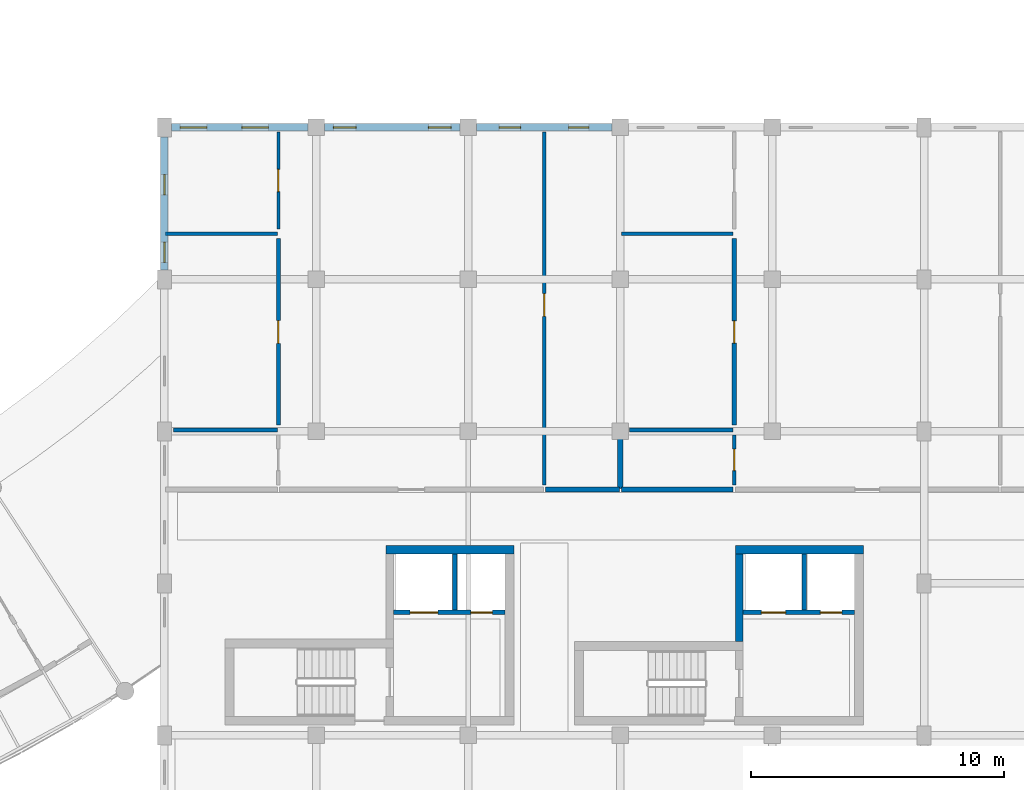
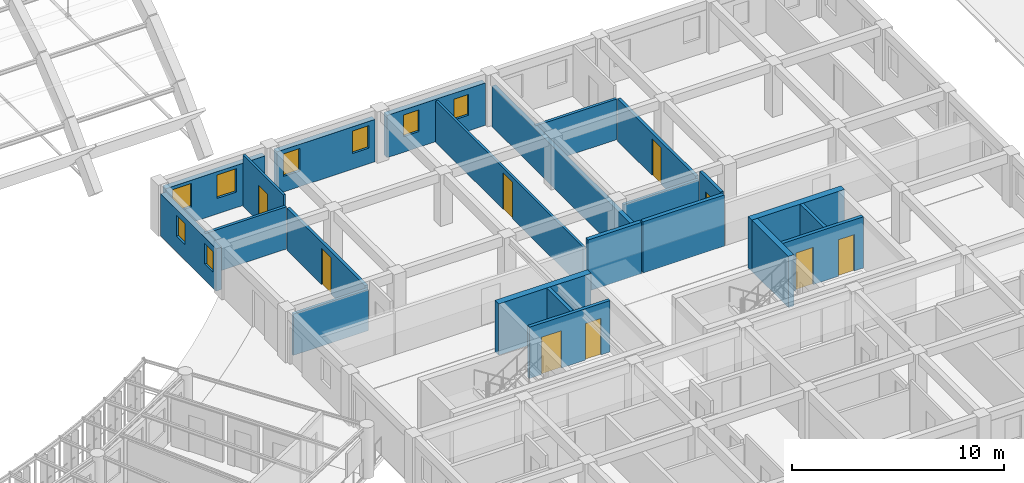
# One storey, part 85 of 123: 23 walls, 9 doors, 8 windows, 17 openings.
"""IFC4 building model written with IfcOpenShell, lengths in metres."""

from ifc_helpers import new_model, si_unit, direction, frame, frame_2d, origin, place, context, subcontext, project, spatial, rectangle, extrude, material, layer, layer_set, type_object, element, fill, save


model = new_model("IFC4")

# Units and contexts
model_context = context("Model", 3, precision=1e-05, world=origin(), true_north=direction((0.0, 1.0)))
body_context = subcontext(model_context, "Body", "Model", "MODEL_VIEW")
ifc_project = project(units=[si_unit("LENGTHUNIT", "METRE"), si_unit("AREAUNIT", "SQUARE_METRE"), si_unit("VOLUMEUNIT", "CUBIC_METRE"), si_unit("PLANEANGLEUNIT", "RADIAN"), si_unit("MASSUNIT", "GRAM", prefix="KILO"), si_unit("POWERUNIT", "WATT"), si_unit("THERMODYNAMICTEMPERATUREUNIT", "KELVIN")], contexts=[model_context])

# Site, building, storey
site_placement = place(None, origin())
site = spatial("IfcSite", under=ifc_project, at=site_placement, CompositionType="ELEMENT")
building_placement = place(site_placement, origin())
building = spatial("IfcBuilding", under=site, at=building_placement, Name="Ruvembo Vaulted Housing Court", CompositionType="ELEMENT")
storey_placement = place(building_placement, frame((0.0, 0.0, 7.699951171875)))
storey = spatial("IfcBuildingStorey", under=building, at=storey_placement, Name="L02", CompositionType="ELEMENT", Elevation=7.699951171875)

# Walls
ifc_material_1 = material(Name="Concrete C35/45", Category="concrete")
ifc_layer_1 = layer(ifc_material_1, 0.300048828125, Name="Concrete C35/45")
ifc_layer_set_1 = layer_set([ifc_layer_1], Name="Concrete C35/45")
wall_type_1 = type_object("IfcWallType", Name="WL-CORE-300", PredefinedType="SHEAR", material=ifc_layer_set_1)
wall_1_placement = place(storey_placement, frame((124.699951171875, 15.699951171875, 0.0), z_axis=(0.0, 0.0, 1.0), x_axis=(0.0, 1.0, 0.0)))
element("IfcWall", 1, at=wall_1_placement, inside=storey, type_object=wall_type_1, Name="Core C2 L02 Upper West Shear Wall", PredefinedType="SHEAR", context=body_context, shape_type="SweptSolid", body=[
    extrude(rectangle(XDim=3.449951171875, YDim=0.300048828125, at=frame_2d((1.72509765625, 0.0))), origin(), (0.0, 0.0, 1.0), 2.955078125),
])
ifc_layer_2 = layer(ifc_material_1, 0.35009765625, Name="Concrete C35/45")
ifc_layer_set_2 = layer_set([ifc_layer_2], Name="Concrete C35/45")
wall_type_2 = type_object("IfcWallType", Name="WL-CORE-350", PredefinedType="SHEAR", material=ifc_layer_set_2)
for number, where, z_axis, x_axis, name in (
    (2, (115.800048828125, 19.324951171875, 0.0), (0.0, 0.0, 1.0), (-1.0, 0.0, 0.0), "Core C1 L02 North Shear Wall"),
    (3, (129.60009765625, 19.324951171875, 0.0), (0.0, 0.0, 1.0), (-1.0, 0.0, 0.0), "Core C2 L02 North Shear Wall"),
):
    element("IfcWall", number, at=place(storey_placement, frame(where, z_axis=z_axis, x_axis=x_axis)), inside=storey, type_object=wall_type_2, Name=name, PredefinedType="SHEAR", context=body_context, shape_type="SweptSolid", body=[
        extrude(rectangle(XDim=5.050048828125, YDim=0.35009765625, at=frame_2d((2.52490234375, 0.0))), origin(), (0.0, 0.0, 1.0), 2.955078125),
    ])
ifc_material_2 = material(Name="Concrete Blockwork 210", Category="masonry")
ifc_layer_3 = layer(ifc_material_2, 0.2099609375, Name="Concrete Blockwork 210")
ifc_layer_set_3 = layer_set([ifc_layer_3], Name="Concrete Blockwork 210")
wall_type_3 = type_object("IfcWallType", Name="WL-CORR-210", PredefinedType="SOLIDWALL", material=ifc_layer_set_3)
wall_2_placement = place(storey_placement, frame((117.0400390625, 21.699951171875, 0.0), z_axis=(0.0, 0.0, 1.0), x_axis=(1.0, 0.0, 0.0)))
element("IfcWall", 4, at=wall_2_placement, inside=storey, type_object=wall_type_3, Name="L02 Flat C-L02-N1 Corridor Wall 2 WL-INT-L02-00621", PredefinedType="SOLIDWALL", context=body_context, shape_type="SweptSolid", body=[
    extrude(rectangle(XDim=2.919921875, YDim=0.2099609375, at=frame_2d((1.4599609375, 0.0))), origin(), (0.0, 0.0, 1.0), 2.955078125),
])
wall_3_placement = place(storey_placement, frame((120.0400390625, 21.699951171875, 0.0), z_axis=(0.0, 0.0, 1.0), x_axis=(1.0, 0.0, 0.0)))
element("IfcWall", 5, at=wall_3_placement, inside=storey, type_object=wall_type_3, Name="L02 Flat C-L02-N2 Corridor Wall WL-INT-L02-00623", PredefinedType="SOLIDWALL", context=body_context, shape_type="SweptSolid", body=[
    extrude(rectangle(XDim=4.419921875, YDim=0.2099609375, at=frame_2d((2.2099609375, 0.0))), origin(), (0.0, 0.0, 1.0), 2.955078125),
])
ifc_material_3 = material(Name="Acoustic Masonry Demising 220", Category="masonry")
ifc_layer_4 = layer(ifc_material_3, 0.219970703125, Name="Acoustic Masonry Demising 220")
ifc_layer_set_4 = layer_set([ifc_layer_4], Name="Acoustic Masonry Demising 220")
wall_type_4 = type_object("IfcWallType", Name="WL-DEM-200", PredefinedType="SOLIDWALL", material=ifc_layer_set_4)
wall_4_placement = place(storey_placement, frame((120.0, 21.739990234375, 0.0), z_axis=(0.0, 0.0, 1.0), x_axis=(0.0, 1.0, 0.0)))
element("IfcWall", 6, at=wall_4_placement, inside=storey, type_object=wall_type_4, Name="L02 Demising C-L02-N1 WL-INT-L02-00613", PredefinedType="SOLIDWALL", context=body_context, shape_type="SweptSolid", body=[
    extrude(rectangle(XDim=13.8701171875, YDim=0.219970703125, at=frame_2d((6.93505859375, 0.0))), origin(), (0.0, 0.0, 1.0), 2.337158203125),
])

# Wall, openings, windows
ifc_material_4 = material(Name="Rendered Masonry 300", Category="masonry")
ifc_layer_5 = layer(ifc_material_4, 0.300048828125, Name="Rendered Masonry 300")
ifc_layer_set_5 = layer_set([ifc_layer_5], Name="Rendered Masonry 300")
wall_type_5 = type_object("IfcWallType", Name="WL-EXT-300", PredefinedType="STANDARD", material=ifc_layer_set_5)
wall_5_placement = place(storey_placement, frame((119.675048828125, 36.0, 0.0), z_axis=(0.0, 0.0, 1.0), x_axis=(-1.0, 0.0, 0.0)))
wall_5 = element("IfcWall", 7, at=wall_5_placement, inside=storey, type_object=wall_type_5, Name="Block C L02 Exterior Wall COURTYARD #4", PredefinedType="STANDARD", context=body_context, shape_type="SweptSolid", body=[
    extrude(rectangle(XDim=5.35009765625, YDim=0.300048828125, at=frame_2d((2.675048828125, 0.0))), origin(), (0.0, 0.0, 1.0), 2.43701171875),
])
opening_1_placement = place(wall_5_placement, frame((0.91748046875, 0.0, 0.89990234375)))
opening_1 = element("IfcOpeningElement", 8, at=opening_1_placement, cuts=wall_5, Name="Opening W02", PredefinedType="OPENING", context=body_context, shape_type="SweptSolid", body=[
    extrude(rectangle(XDim=0.800048828125, YDim=1.199951171875, at=frame_2d((0.39990234375, 0.60009765625))), frame((0.0, 0.159912109375, 0.0), z_axis=(0.0, -1.0, 0.0), x_axis=(1.0, 0.0, 0.0)), (0.0, 0.0, 1.0), 0.320068359375),
])
opening_2_placement = place(wall_5_placement, frame((3.607421875, 0.0, 0.89990234375)))
opening_2 = element("IfcOpeningElement", 9, at=opening_2_placement, cuts=wall_5, Name="Opening W03", PredefinedType="OPENING", context=body_context, shape_type="SweptSolid", body=[
    extrude(rectangle(XDim=0.85009765625, YDim=1.25, at=frame_2d((0.425048828125, 0.625))), frame((0.0, 0.159912109375, 0.0), z_axis=(0.0, -1.0, 0.0), x_axis=(1.0, 0.0, 0.0)), (0.0, 0.0, 1.0), 0.320068359375),
])
ifc_material_5 = material(Name="Double Solar-Control Glazing in Aluminium Frame", Category="aluminium")
window_type_1 = type_object("IfcWindowType", Name="WIN-0800x1200", PartitioningType="SINGLE_PANEL", PredefinedType="WINDOW", material=ifc_material_5)
window_1_placement = place(opening_1_placement, origin())
window_1 = element("IfcWindow", 10, at=window_1_placement, inside=storey, type_object=window_type_1, Name="Block C L02 Window #1182", OverallHeight=1.199951171875, OverallWidth=0.800048828125, PartitioningType="SINGLE_PANEL", PredefinedType="WINDOW", context=body_context, shape_type="SweptSolid", body=[
    extrude(rectangle(XDim=0.800048828125, YDim=1.199951171875, at=frame_2d((0.39990234375, 0.60009765625))), frame((0.0, 0.030029296875, 0.0), z_axis=(0.0, -1.0, 0.0), x_axis=(1.0, 0.0, 0.0)), (0.0, 0.0, 1.0), 0.06005859375),
])
fill(opening_1, window_1)
window_type_2 = type_object("IfcWindowType", Name="WIN-0850x1250", PartitioningType="SINGLE_PANEL", PredefinedType="WINDOW", material=ifc_material_5)
window_2_placement = place(opening_2_placement, origin())
window_2 = element("IfcWindow", 11, at=window_2_placement, inside=storey, type_object=window_type_2, Name="Block C L02 Window #1183", OverallHeight=1.25, OverallWidth=0.85009765625, PartitioningType="SINGLE_PANEL", PredefinedType="WINDOW", context=body_context, shape_type="SweptSolid", body=[
    extrude(rectangle(XDim=0.85009765625, YDim=1.25, at=frame_2d((0.425048828125, 0.625))), frame((0.0, 0.030029296875, 0.0), z_axis=(0.0, -1.0, 0.0), x_axis=(1.0, 0.0, 0.0)), (0.0, 0.0, 1.0), 0.06005859375),
])
fill(opening_2, window_2)

wall_6_placement = place(storey_placement, frame((113.675048828125, 36.0, 0.0), z_axis=(0.0, 0.0, 1.0), x_axis=(-1.0, 0.0, 0.0)))
wall_6 = element("IfcWall", 12, at=wall_6_placement, inside=storey, type_object=wall_type_5, Name="Block C L02 Exterior Wall COURTYARD #5", PredefinedType="STANDARD", context=body_context, shape_type="SweptSolid", body=[
    extrude(rectangle(XDim=5.35009765625, YDim=0.300048828125, at=frame_2d((2.675048828125, 0.0))), origin(), (0.0, 0.0, 1.0), 2.43701171875),
])
opening_3_placement = place(wall_6_placement, frame((0.35009765625, 0.0, 0.89990234375)))
opening_3 = element("IfcOpeningElement", 13, at=opening_3_placement, cuts=wall_6, Name="Opening W04", PredefinedType="OPENING", context=body_context, shape_type="SweptSolid", body=[
    extrude(rectangle(XDim=0.89990234375, YDim=1.300048828125, at=frame_2d((0.449951171875, 0.64990234375))), frame((0.0, 0.159912109375, 0.0), z_axis=(0.0, -1.0, 0.0), x_axis=(1.0, 0.0, 0.0)), (0.0, 0.0, 1.0), 0.320068359375),
])
opening_4_placement = place(wall_6_placement, frame((4.10009765625, 0.0, 0.89990234375)))
opening_4 = element("IfcOpeningElement", 14, at=opening_4_placement, cuts=wall_6, Name="Opening W04", PredefinedType="OPENING", context=body_context, shape_type="SweptSolid", body=[
    extrude(rectangle(XDim=0.89990234375, YDim=1.300048828125, at=frame_2d((0.449951171875, 0.64990234375))), frame((0.0, 0.159912109375, 0.0), z_axis=(0.0, -1.0, 0.0), x_axis=(1.0, 0.0, 0.0)), (0.0, 0.0, 1.0), 0.320068359375),
])
window_type_3 = type_object("IfcWindowType", Name="WIN-0900x1300", PartitioningType="SINGLE_PANEL", PredefinedType="WINDOW", material=ifc_material_5)
window_3_placement = place(opening_3_placement, origin())
window_3 = element("IfcWindow", 15, at=window_3_placement, inside=storey, type_object=window_type_3, Name="Block C L02 Window #1184", OverallHeight=1.300048828125, OverallWidth=0.89990234375, PartitioningType="SINGLE_PANEL", PredefinedType="WINDOW", context=body_context, shape_type="SweptSolid", body=[
    extrude(rectangle(XDim=0.89990234375, YDim=1.300048828125, at=frame_2d((0.449951171875, 0.64990234375))), frame((0.0, 0.030029296875, 0.0), z_axis=(0.0, -1.0, 0.0), x_axis=(1.0, 0.0, 0.0)), (0.0, 0.0, 1.0), 0.06005859375),
])
fill(opening_3, window_3)
window_4_placement = place(opening_4_placement, origin())
window_4 = element("IfcWindow", 16, at=window_4_placement, inside=storey, type_object=window_type_3, Name="Block C L02 Window #1185", OverallHeight=1.300048828125, OverallWidth=0.89990234375, PartitioningType="SINGLE_PANEL", PredefinedType="WINDOW", context=body_context, shape_type="SweptSolid", body=[
    extrude(rectangle(XDim=0.89990234375, YDim=1.300048828125, at=frame_2d((0.449951171875, 0.64990234375))), frame((0.0, 0.030029296875, 0.0), z_axis=(0.0, -1.0, 0.0), x_axis=(1.0, 0.0, 0.0)), (0.0, 0.0, 1.0), 0.06005859375),
])
fill(opening_4, window_4)

wall_7_placement = place(storey_placement, frame((107.675048828125, 36.0, 0.0), z_axis=(0.0, 0.0, 1.0), x_axis=(-1.0, 0.0, 0.0)))
wall_7 = element("IfcWall", 17, at=wall_7_placement, inside=storey, type_object=wall_type_5, Name="Block C L02 Exterior Wall COURTYARD #6", PredefinedType="STANDARD", context=body_context, shape_type="SweptSolid", body=[
    extrude(rectangle(XDim=5.400146484375, YDim=0.300048828125, at=frame_2d((2.7001953125, 0.0))), origin(), (0.0, 0.0, 1.0), 2.43701171875),
])
opening_5_placement = place(wall_7_placement, frame((1.56494140625, 0.0, 0.89990234375)))
opening_5 = element("IfcOpeningElement", 18, at=opening_5_placement, cuts=wall_7, Name="Opening W09", PredefinedType="OPENING", context=body_context, shape_type="SweptSolid", body=[
    extrude(rectangle(XDim=1.050048828125, YDim=1.35009765625, at=frame_2d((0.52490234375, 0.675048828125))), frame((0.0, 0.159912109375, 0.0), z_axis=(0.0, -1.0, 0.0), x_axis=(1.0, 0.0, 0.0)), (0.0, 0.0, 1.0), 0.320068359375),
])
opening_6_placement = place(wall_7_placement, frame((4.0, 0.0, 0.89990234375)))
opening_6 = element("IfcOpeningElement", 19, at=opening_6_placement, cuts=wall_7, Name="Opening W09", PredefinedType="OPENING", context=body_context, shape_type="SweptSolid", body=[
    extrude(rectangle(XDim=1.050048828125, YDim=1.35009765625, at=frame_2d((0.52490234375, 0.675048828125))), frame((0.0, 0.159912109375, 0.0), z_axis=(0.0, -1.0, 0.0), x_axis=(1.0, 0.0, 0.0)), (0.0, 0.0, 1.0), 0.320068359375),
])
window_type_4 = type_object("IfcWindowType", Name="WIN-1050x1350", PartitioningType="SINGLE_PANEL", PredefinedType="WINDOW", material=ifc_material_5)
window_5_placement = place(opening_5_placement, origin())
window_5 = element("IfcWindow", 20, at=window_5_placement, inside=storey, type_object=window_type_4, Name="Block C L02 Window #1186", OverallHeight=1.35009765625, OverallWidth=1.050048828125, PartitioningType="SINGLE_PANEL", PredefinedType="WINDOW", context=body_context, shape_type="SweptSolid", body=[
    extrude(rectangle(XDim=1.050048828125, YDim=1.35009765625, at=frame_2d((0.52490234375, 0.675048828125))), frame((0.0, 0.030029296875, 0.0), z_axis=(0.0, -1.0, 0.0), x_axis=(1.0, 0.0, 0.0)), (0.0, 0.0, 1.0), 0.06005859375),
])
fill(opening_5, window_5)
window_6_placement = place(opening_6_placement, origin())
window_6 = element("IfcWindow", 21, at=window_6_placement, inside=storey, type_object=window_type_4, Name="Block C L02 Window #1187", OverallHeight=1.35009765625, OverallWidth=1.050048828125, PartitioningType="SINGLE_PANEL", PredefinedType="WINDOW", context=body_context, shape_type="SweptSolid", body=[
    extrude(rectangle(XDim=1.050048828125, YDim=1.35009765625, at=frame_2d((0.52490234375, 0.675048828125))), frame((0.0, 0.030029296875, 0.0), z_axis=(0.0, -1.0, 0.0), x_axis=(1.0, 0.0, 0.0)), (0.0, 0.0, 1.0), 0.06005859375),
])
fill(opening_6, window_6)

wall_8_placement = place(storey_placement, frame((102.0, 35.625, 0.0), z_axis=(0.0, 0.0, 1.0), x_axis=(0.0, -1.0, 0.0)))
wall_8 = element("IfcWall", 22, at=wall_8_placement, inside=storey, type_object=wall_type_5, Name="Block C L02 Exterior Wall WEST #1", PredefinedType="STANDARD", context=body_context, shape_type="SweptSolid", body=[
    extrude(rectangle(XDim=5.25, YDim=0.300048828125, at=frame_2d((2.625, 0.0))), origin(), (0.0, 0.0, 1.0), 2.43701171875),
])
opening_7_placement = place(wall_8_placement, frame((1.492431640625, 0.0, 0.89990234375)))
opening_7 = element("IfcOpeningElement", 23, at=opening_7_placement, cuts=wall_8, Name="Opening W02", PredefinedType="OPENING", context=body_context, shape_type="SweptSolid", body=[
    extrude(rectangle(XDim=0.800048828125, YDim=1.199951171875, at=frame_2d((0.39990234375, 0.60009765625))), frame((0.0, 0.159912109375, 0.0), z_axis=(0.0, -1.0, 0.0), x_axis=(1.0, 0.0, 0.0)), (0.0, 0.0, 1.0), 0.320068359375),
])
opening_8_placement = place(wall_8_placement, frame((4.157470703125, 0.0, 0.89990234375)))
opening_8 = element("IfcOpeningElement", 24, at=opening_8_placement, cuts=wall_8, Name="Opening W02", PredefinedType="OPENING", context=body_context, shape_type="SweptSolid", body=[
    extrude(rectangle(XDim=0.800048828125, YDim=1.199951171875, at=frame_2d((0.39990234375, 0.60009765625))), frame((0.0, 0.159912109375, 0.0), z_axis=(0.0, -1.0, 0.0), x_axis=(1.0, 0.0, 0.0)), (0.0, 0.0, 1.0), 0.320068359375),
])
window_7_placement = place(opening_7_placement, origin())
window_7 = element("IfcWindow", 25, at=window_7_placement, inside=storey, type_object=window_type_1, Name="Block C L02 Window #1188", OverallHeight=1.199951171875, OverallWidth=0.800048828125, PartitioningType="SINGLE_PANEL", PredefinedType="WINDOW", context=body_context, shape_type="SweptSolid", body=[
    extrude(rectangle(XDim=0.800048828125, YDim=1.199951171875, at=frame_2d((0.39990234375, 0.60009765625))), frame((0.0, 0.030029296875, 0.0), z_axis=(0.0, -1.0, 0.0), x_axis=(1.0, 0.0, 0.0)), (0.0, 0.0, 1.0), 0.06005859375),
])
fill(opening_7, window_7)
window_8_placement = place(opening_8_placement, origin())
window_8 = element("IfcWindow", 26, at=window_8_placement, inside=storey, type_object=window_type_1, Name="Block C L02 Window #1189", OverallHeight=1.199951171875, OverallWidth=0.800048828125, PartitioningType="SINGLE_PANEL", PredefinedType="WINDOW", context=body_context, shape_type="SweptSolid", body=[
    extrude(rectangle(XDim=0.800048828125, YDim=1.199951171875, at=frame_2d((0.39990234375, 0.60009765625))), frame((0.0, 0.030029296875, 0.0), z_axis=(0.0, -1.0, 0.0), x_axis=(1.0, 0.0, 0.0)), (0.0, 0.0, 1.0), 0.06005859375),
])
fill(opening_8, window_8)

# Wall, opening, door
ifc_material_6 = material(Name="Plasterboard Stud Partition 125", Category="gypsum")
ifc_layer_6 = layer(ifc_material_6, 0.125, Name="Plasterboard Stud Partition 125")
ifc_layer_set_6 = layer_set([ifc_layer_6], Name="Plasterboard Stud Partition 125")
wall_type_6 = type_object("IfcWallType", Name="WL-PART-125", PredefinedType="PARTITIONING", material=ifc_layer_set_6)
wall_9_placement = place(storey_placement, frame((106.5, 31.989990234375, 0.0), z_axis=(0.0, 0.0, 1.0), x_axis=(0.0, 1.0, 0.0)))
wall_9 = element("IfcWall", 27, at=wall_9_placement, inside=storey, type_object=wall_type_6, Name="L02 Flat C-L02-N1 Bedroom 1 WL-INT-L02-00616", PredefinedType="PARTITIONING", context=body_context, shape_type="SweptSolid", body=[
    extrude(rectangle(XDim=3.820068359375, YDim=0.125, at=frame_2d((1.91015625, 0.0))), origin(), (0.0, 0.0, 1.0), 2.955078125),
])
opening_9_placement = place(wall_9_placement, frame((1.469970703125, 0.0, 0.0)))
opening_9 = element("IfcOpeningElement", 28, at=opening_9_placement, cuts=wall_9, Name="Opening ID3", PredefinedType="OPENING", context=body_context, shape_type="SweptSolid", body=[
    extrude(rectangle(XDim=0.8798828125, YDim=2.10009765625, at=frame_2d((0.43994140625, 1.050048828125))), frame((0.0, 0.072509765625, 0.0), z_axis=(0.0, -1.0, 0.0), x_axis=(1.0, 0.0, 0.0)), (0.0, 0.0, 1.0), 0.14501953125),
])
ifc_material_7 = material(Name="FSC Hardwood and Engineered Timber", Category="wood")
door_type_1 = type_object("IfcDoorType", Name="DR-ROOM-0880x2100", OperationType="NOTDEFINED", PredefinedType="DOOR", material=ifc_material_7)
door_1_placement = place(opening_9_placement, origin())
door_1 = element("IfcDoor", 29, at=door_1_placement, inside=storey, type_object=door_type_1, Name="L02 Flat C-L02-N1 Bedroom 1 Door DR-INT-L02-00333", OperationType="SINGLE_SWING_LEFT", OverallHeight=2.10009765625, OverallWidth=0.8798828125, PredefinedType="DOOR", context=body_context, shape_type="SweptSolid", body=[
    extrude(rectangle(XDim=0.8798828125, YDim=2.10009765625, at=frame_2d((0.43994140625, 1.050048828125))), frame((0.0, 0.02490234375, 0.0), z_axis=(0.0, -1.0, 0.0), x_axis=(1.0, 0.0, 0.0)), (0.0, 0.0, 1.0), 0.050048828125),
])
fill(opening_9, door_1)

wall_10_placement = place(storey_placement, frame((117.0, 21.889892578125, 0.0), z_axis=(0.0, 0.0, 1.0), x_axis=(0.0, 1.0, 0.0)))
wall_10 = element("IfcWall", 30, at=wall_10_placement, inside=storey, type_object=wall_type_6, Name="L02 Flat C-L02-N1 Bedroom 2 WL-INT-L02-00622", PredefinedType="PARTITIONING", context=body_context, shape_type="SweptSolid", body=[
    extrude(rectangle(XDim=13.920166015625, YDim=0.125, at=frame_2d((6.9599609375, 0.0))), origin(), (0.0, 0.0, 1.0), 2.386962890625),
])
opening_10_placement = place(wall_10_placement, frame((6.64990234375, 0.0, 0.0)))
opening_10 = element("IfcOpeningElement", 31, at=opening_10_placement, cuts=wall_10, Name="Opening ID1", PredefinedType="OPENING", context=body_context, shape_type="SweptSolid", body=[
    extrude(rectangle(XDim=0.89990234375, YDim=2.10009765625, at=frame_2d((0.449951171875, 1.050048828125))), frame((0.0, 0.072509765625, 0.0), z_axis=(0.0, -1.0, 0.0), x_axis=(1.0, 0.0, 0.0)), (0.0, 0.0, 1.0), 0.14501953125),
])
door_type_2 = type_object("IfcDoorType", Name="DR-ROOM-0900x2100", OperationType="NOTDEFINED", PredefinedType="DOOR", material=ifc_material_7)
door_2_placement = place(opening_10_placement, origin())
door_2 = element("IfcDoor", 32, at=door_2_placement, inside=storey, type_object=door_type_2, Name="L02 Flat C-L02-N1 Bedroom 2 Door DR-INT-L02-00336", OperationType="SINGLE_SWING_RIGHT", OverallHeight=2.10009765625, OverallWidth=0.89990234375, PredefinedType="DOOR", context=body_context, shape_type="SweptSolid", body=[
    extrude(rectangle(XDim=0.89990234375, YDim=2.10009765625, at=frame_2d((0.449951171875, 1.050048828125))), frame((0.0, 0.02490234375, 0.0), z_axis=(0.0, -1.0, 0.0), x_axis=(1.0, 0.0, 0.0)), (0.0, 0.0, 1.0), 0.050048828125),
])
fill(opening_10, door_2)

# Walls
ifc_material_8 = material(Name="Moisture-Resistant Wet Partition 150", Category="gypsum")
ifc_layer_7 = layer(ifc_material_8, 0.14990234375, Name="Moisture-Resistant Wet Partition 150")
ifc_layer_set_7 = layer_set([ifc_layer_7], Name="Moisture-Resistant Wet Partition 150")
wall_type_7 = type_object("IfcWallType", Name="WL-PART-150", PredefinedType="PARTITIONING", material=ifc_layer_set_7)
wall_11_placement = place(storey_placement, frame((102.0400390625, 31.800048828125, 0.0), z_axis=(0.0, 0.0, 1.0), x_axis=(1.0, 0.0, 0.0)))
element("IfcWall", 33, at=wall_11_placement, inside=storey, type_object=wall_type_7, Name="L02 Flat C-L02-N1 Wet Wall 1 WL-INT-L02-00619", PredefinedType="PARTITIONING", context=body_context, shape_type="SweptSolid", body=[
    extrude(rectangle(XDim=4.419921875, YDim=0.14990234375, at=frame_2d((2.2099609375, 0.0))), origin(), (0.0, 0.0, 1.0), 2.43701171875),
])
wall_12_placement = place(storey_placement, frame((102.360107421875, 24.050048828125, 0.0), z_axis=(0.0, 0.0, 1.0), x_axis=(1.0, 0.0, 0.0)))
element("IfcWall", 34, at=wall_12_placement, inside=storey, type_object=wall_type_7, Name="L02 Flat C-L02-N1 Wet Wall 2 WL-INT-L02-00620", PredefinedType="PARTITIONING", context=body_context, shape_type="SweptSolid", body=[
    extrude(rectangle(XDim=4.099853515625, YDim=0.14990234375, at=frame_2d((2.0498046875, 0.0))), origin(), (0.0, 0.0, 1.0), 2.386962890625),
])

# Wall, opening, door
wall_13_placement = place(storey_placement, frame((124.5, 21.889892578125, 0.0), z_axis=(0.0, 0.0, 1.0), x_axis=(0.0, 1.0, 0.0)))
wall_13 = element("IfcWall", 35, at=wall_13_placement, inside=storey, type_object=wall_type_7, Name="L02 Flat C-L02-N2 Bathroom WL-INT-L02-00627", PredefinedType="PARTITIONING", context=body_context, shape_type="SweptSolid", body=[
    extrude(rectangle(XDim=1.97021484375, YDim=0.14990234375, at=frame_2d((0.985107421875, 0.0))), origin(), (0.0, 0.0, 1.0), 2.955078125),
])
opening_11_placement = place(wall_13_placement, frame((0.56005859375, 0.0, 0.0)))
opening_11 = element("IfcOpeningElement", 36, at=opening_11_placement, cuts=wall_13, Name="Opening ID2", PredefinedType="OPENING", context=body_context, shape_type="SweptSolid", body=[
    extrude(rectangle(XDim=0.85009765625, YDim=2.10009765625, at=frame_2d((0.425048828125, 1.050048828125))), frame((0.0, 0.0849609375, 0.0), z_axis=(0.0, -1.0, 0.0), x_axis=(1.0, 0.0, 0.0)), (0.0, 0.0, 1.0), 0.169921875),
])
door_type_3 = type_object("IfcDoorType", Name="DR-WET-0850x2100", OperationType="NOTDEFINED", PredefinedType="DOOR", material=ifc_material_7)
door_3_placement = place(opening_11_placement, origin())
door_3 = element("IfcDoor", 37, at=door_3_placement, inside=storey, type_object=door_type_3, Name="L02 Flat C-L02-N2 Bathroom Door DR-INT-L02-00340", OperationType="SINGLE_SWING_RIGHT", OverallHeight=2.10009765625, OverallWidth=0.85009765625, PredefinedType="DOOR", context=body_context, shape_type="SweptSolid", body=[
    extrude(rectangle(XDim=0.85009765625, YDim=2.10009765625, at=frame_2d((0.425048828125, 1.050048828125))), frame((0.0, 0.02490234375, 0.0), z_axis=(0.0, -1.0, 0.0), x_axis=(1.0, 0.0, 0.0)), (0.0, 0.0, 1.0), 0.050048828125),
])
fill(opening_11, door_3)

# Walls
wall_14_placement = place(storey_placement, frame((120.0400390625, 31.800048828125, 0.0), z_axis=(0.0, 0.0, 1.0), x_axis=(1.0, 0.0, 0.0)))
element("IfcWall", 38, at=wall_14_placement, inside=storey, type_object=wall_type_7, Name="L02 Flat C-L02-N2 Wet Wall 1 WL-INT-L02-00628", PredefinedType="PARTITIONING", context=body_context, shape_type="SweptSolid", body=[
    extrude(rectangle(XDim=4.419921875, YDim=0.14990234375, at=frame_2d((2.2099609375, 0.0))), origin(), (0.0, 0.0, 1.0), 2.337158203125),
])
wall_15_placement = place(storey_placement, frame((120.360107421875, 24.050048828125, 0.0), z_axis=(0.0, 0.0, 1.0), x_axis=(1.0, 0.0, 0.0)))
element("IfcWall", 39, at=wall_15_placement, inside=storey, type_object=wall_type_7, Name="L02 Flat C-L02-N2 Wet Wall 2 WL-INT-L02-00629", PredefinedType="PARTITIONING", context=body_context, shape_type="SweptSolid", body=[
    extrude(rectangle(XDim=4.099853515625, YDim=0.14990234375, at=frame_2d((2.0498046875, 0.0))), origin(), (0.0, 0.0, 1.0), 2.386962890625),
])

# Wall, opening, door
ifc_material_9 = material(Name="Acoustic Service Chase Wall 160", Category="gypsum")
ifc_layer_8 = layer(ifc_material_9, 0.159912109375, Name="Acoustic Service Chase Wall 160")
ifc_layer_set_8 = layer_set([ifc_layer_8], Name="Acoustic Service Chase Wall 160")
wall_type_8 = type_object("IfcWallType", Name="WL-PLUMB-160", PredefinedType="PLUMBINGWALL", material=ifc_layer_set_8)
wall_16_placement = place(storey_placement, frame((106.5, 24.239990234375, 0.0), z_axis=(0.0, 0.0, 1.0), x_axis=(0.0, 1.0, 0.0)))
wall_16 = element("IfcWall", 40, at=wall_16_placement, inside=storey, type_object=wall_type_8, Name="L02 Flat C-L02-N1 Kitchen WL-INT-L02-00617", PredefinedType="PLUMBINGWALL", context=body_context, shape_type="SweptSolid", body=[
    extrude(rectangle(XDim=7.3701171875, YDim=0.159912109375, at=frame_2d((3.68505859375, 0.0))), origin(), (0.0, 0.0, 1.0), 2.43701171875),
])
opening_12_placement = place(wall_16_placement, frame((3.235107421875, 0.0, 0.0)))
opening_12 = element("IfcOpeningElement", 41, at=opening_12_placement, cuts=wall_16, Name="Opening ID1", PredefinedType="OPENING", context=body_context, shape_type="SweptSolid", body=[
    extrude(rectangle(XDim=0.89990234375, YDim=2.10009765625, at=frame_2d((0.449951171875, 1.050048828125))), frame((0.0, 0.08984375, 0.0), z_axis=(0.0, -1.0, 0.0), x_axis=(1.0, 0.0, 0.0)), (0.0, 0.0, 1.0), 0.179931640625),
])
door_4_placement = place(opening_12_placement, origin())
door_4 = element("IfcDoor", 42, at=door_4_placement, inside=storey, type_object=door_type_2, Name="L02 Flat C-L02-N1 Kitchen Door DR-INT-L02-00334", OperationType="SINGLE_SWING_RIGHT", OverallHeight=2.10009765625, OverallWidth=0.89990234375, PredefinedType="DOOR", context=body_context, shape_type="SweptSolid", body=[
    extrude(rectangle(XDim=0.89990234375, YDim=2.10009765625, at=frame_2d((0.449951171875, 1.050048828125))), frame((0.0, 0.02490234375, 0.0), z_axis=(0.0, -1.0, 0.0), x_axis=(1.0, 0.0, 0.0)), (0.0, 0.0, 1.0), 0.050048828125),
])
fill(opening_12, door_4)

wall_17_placement = place(storey_placement, frame((124.5, 24.239990234375, 0.0), z_axis=(0.0, 0.0, 1.0), x_axis=(0.0, 1.0, 0.0)))
wall_17 = element("IfcWall", 43, at=wall_17_placement, inside=storey, type_object=wall_type_8, Name="L02 Flat C-L02-N2 Kitchen WL-INT-L02-00626", PredefinedType="PLUMBINGWALL", context=body_context, shape_type="SweptSolid", body=[
    extrude(rectangle(XDim=7.3701171875, YDim=0.159912109375, at=frame_2d((3.68505859375, 0.0))), origin(), (0.0, 0.0, 1.0), 2.43701171875),
])
opening_13_placement = place(wall_17_placement, frame((3.2451171875, 0.0, 0.0)))
opening_13 = element("IfcOpeningElement", 44, at=opening_13_placement, cuts=wall_17, Name="Opening ID3", PredefinedType="OPENING", context=body_context, shape_type="SweptSolid", body=[
    extrude(rectangle(XDim=0.8798828125, YDim=2.10009765625, at=frame_2d((0.43994140625, 1.050048828125))), frame((0.0, 0.08984375, 0.0), z_axis=(0.0, -1.0, 0.0), x_axis=(1.0, 0.0, 0.0)), (0.0, 0.0, 1.0), 0.179931640625),
])
door_5_placement = place(opening_13_placement, origin())
door_5 = element("IfcDoor", 45, at=door_5_placement, inside=storey, type_object=door_type_1, Name="L02 Flat C-L02-N2 Kitchen Door DR-INT-L02-00339", OperationType="SINGLE_SWING_LEFT", OverallHeight=2.10009765625, OverallWidth=0.8798828125, PredefinedType="DOOR", context=body_context, shape_type="SweptSolid", body=[
    extrude(rectangle(XDim=0.8798828125, YDim=2.10009765625, at=frame_2d((0.43994140625, 1.050048828125))), frame((0.0, 0.02490234375, 0.0), z_axis=(0.0, -1.0, 0.0), x_axis=(1.0, 0.0, 0.0)), (0.0, 0.0, 1.0), 0.050048828125),
])
fill(opening_13, door_5)

# Wall, openings, doors
ifc_material_10 = material(Name="Fire-Rated Masonry Shaft 180", Category="masonry")
ifc_layer_9 = layer(ifc_material_10, 0.179931640625, Name="Fire-Rated Masonry Shaft 180")
ifc_layer_set_9 = layer_set([ifc_layer_9], Name="Fire-Rated Masonry Shaft 180")
wall_type_9 = type_object("IfcWallType", Name="WL-SHAFT-180", PredefinedType="SOLIDWALL", material=ifc_layer_set_9)
wall_18_placement = place(storey_placement, frame((111.050048828125, 16.85009765625, 0.0), z_axis=(0.0, 0.0, 1.0), x_axis=(1.0, 0.0, 0.0)))
wall_18 = element("IfcWall", 46, at=wall_18_placement, inside=storey, type_object=wall_type_9, Name="Core C1 L02 Lift and Riser Front Wall", PredefinedType="SOLIDWALL", context=body_context, shape_type="SweptSolid", body=[
    extrude(rectangle(XDim=4.39990234375, YDim=0.179931640625, at=frame_2d((2.199951171875, 0.0))), origin(), (0.0, 0.0, 1.0), 2.955078125),
])
opening_14_placement = place(wall_18_placement, frame((0.64990234375, 0.0, 0.0)))
opening_14 = element("IfcOpeningElement", 47, at=opening_14_placement, cuts=wall_18, Name="Opening LD-LP-C1-L02", PredefinedType="OPENING", context=body_context, shape_type="SweptSolid", body=[
    extrude(rectangle(XDim=1.10009765625, YDim=2.14990234375, at=frame_2d((0.550048828125, 1.074951171875))), frame((0.0, 0.099853515625, 0.0), z_axis=(0.0, -1.0, 0.0), x_axis=(1.0, 0.0, 0.0)), (0.0, 0.0, 1.0), 0.199951171875),
])
opening_15_placement = place(wall_18_placement, frame((3.050048828125, 0.0, 0.0)))
opening_15 = element("IfcOpeningElement", 48, at=opening_15_placement, cuts=wall_18, Name="Opening RD1", PredefinedType="OPENING", context=body_context, shape_type="SweptSolid", body=[
    extrude(rectangle(XDim=0.85009765625, YDim=2.10009765625, at=frame_2d((0.425048828125, 1.050048828125))), frame((0.0, 0.099853515625, 0.0), z_axis=(0.0, -1.0, 0.0), x_axis=(1.0, 0.0, 0.0)), (0.0, 0.0, 1.0), 0.199951171875),
])
ifc_material_11 = material(Name="Brushed Stainless Steel 304", Category="steel")
door_type_4 = type_object("IfcDoorType", Name="DR-LIFT-1100x2150", OperationType="NOTDEFINED", PredefinedType="DOOR", material=ifc_material_11)
door_6_placement = place(opening_14_placement, origin())
door_6 = element("IfcDoor", 49, at=door_6_placement, inside=storey, type_object=door_type_4, Name="Lift LP-C1 L02 Sliding Landing Door", OperationType="SLIDING_TO_LEFT", OverallHeight=2.14990234375, OverallWidth=1.10009765625, PredefinedType="DOOR", context=body_context, shape_type="SweptSolid", body=[
    extrude(rectangle(XDim=1.10009765625, YDim=2.14990234375, at=frame_2d((0.550048828125, 1.074951171875))), frame((0.0, 0.02490234375, 0.0), z_axis=(0.0, -1.0, 0.0), x_axis=(1.0, 0.0, 0.0)), (0.0, 0.0, 1.0), 0.050048828125),
])
fill(opening_14, door_6)
ifc_material_12 = material(Name="Galvanised Painted Steel", Category="steel")
door_type_5 = type_object("IfcDoorType", Name="DR-RISER-0850x2100", OperationType="NOTDEFINED", PredefinedType="DOOR", material=ifc_material_12)
door_7_placement = place(opening_15_placement, frame((0.85009765625, 0.0, 0.0), z_axis=(0.0, 0.0, 1.0), x_axis=(-1.0, 0.0, 0.0)))
door_7 = element("IfcDoor", 50, at=door_7_placement, inside=storey, type_object=door_type_5, Name="Core C1 L02 Service Riser Door", OperationType="SINGLE_SWING_RIGHT", OverallHeight=2.10009765625, OverallWidth=0.85009765625, PredefinedType="DOOR", context=body_context, shape_type="SweptSolid", body=[
    extrude(rectangle(XDim=0.85009765625, YDim=2.10009765625, at=frame_2d((0.425048828125, 1.050048828125))), frame((0.0, 0.02490234375, 0.0), z_axis=(0.0, -1.0, 0.0), x_axis=(1.0, 0.0, 0.0)), (0.0, 0.0, 1.0), 0.050048828125),
])
fill(opening_15, door_7)

# Wall
wall_19_placement = place(storey_placement, frame((113.469970703125, 16.93994140625, 0.0), z_axis=(0.0, 0.0, 1.0), x_axis=(0.0, 1.0, 0.0)))
element("IfcWall", 51, at=wall_19_placement, inside=storey, type_object=wall_type_9, Name="Core C1 L02 Shaft-Riser Divider Wall", PredefinedType="SOLIDWALL", context=body_context, shape_type="SweptSolid", body=[
    extrude(rectangle(XDim=2.2099609375, YDim=0.179931640625, at=frame_2d((1.10498046875, 0.0))), origin(), (0.0, 0.0, 1.0), 2.955078125),
])

# Wall, openings, doors
wall_20_placement = place(storey_placement, frame((124.85009765625, 16.85009765625, 0.0), z_axis=(0.0, 0.0, 1.0), x_axis=(1.0, 0.0, 0.0)))
wall_20 = element("IfcWall", 52, at=wall_20_placement, inside=storey, type_object=wall_type_9, Name="Core C2 L02 Lift and Riser Front Wall", PredefinedType="SOLIDWALL", context=body_context, shape_type="SweptSolid", body=[
    extrude(rectangle(XDim=4.39990234375, YDim=0.179931640625, at=frame_2d((2.199951171875, 0.0))), origin(), (0.0, 0.0, 1.0), 2.955078125),
])
opening_16_placement = place(wall_20_placement, frame((0.72509765625, 0.0, 0.0)))
opening_16 = element("IfcOpeningElement", 53, at=opening_16_placement, cuts=wall_20, Name="Opening LD-LP-C2-L02", PredefinedType="OPENING", context=body_context, shape_type="SweptSolid", body=[
    extrude(rectangle(XDim=0.949951171875, YDim=2.14990234375, at=frame_2d((0.47509765625, 1.074951171875))), frame((0.0, 0.099853515625, 0.0), z_axis=(0.0, -1.0, 0.0), x_axis=(1.0, 0.0, 0.0)), (0.0, 0.0, 1.0), 0.199951171875),
])
opening_17_placement = place(wall_20_placement, frame((3.050048828125, 0.0, 0.0)))
opening_17 = element("IfcOpeningElement", 54, at=opening_17_placement, cuts=wall_20, Name="Opening RD1", PredefinedType="OPENING", context=body_context, shape_type="SweptSolid", body=[
    extrude(rectangle(XDim=0.85009765625, YDim=2.10009765625, at=frame_2d((0.425048828125, 1.050048828125))), frame((0.0, 0.099853515625, 0.0), z_axis=(0.0, -1.0, 0.0), x_axis=(1.0, 0.0, 0.0)), (0.0, 0.0, 1.0), 0.199951171875),
])
door_type_6 = type_object("IfcDoorType", Name="DR-LIFT-0950x2150", OperationType="NOTDEFINED", PredefinedType="DOOR", material=ifc_material_11)
door_8_placement = place(opening_16_placement, origin())
door_8 = element("IfcDoor", 55, at=door_8_placement, inside=storey, type_object=door_type_6, Name="Lift LP-C2 L02 Sliding Landing Door", OperationType="SLIDING_TO_LEFT", OverallHeight=2.14990234375, OverallWidth=0.949951171875, PredefinedType="DOOR", context=body_context, shape_type="SweptSolid", body=[
    extrude(rectangle(XDim=0.949951171875, YDim=2.14990234375, at=frame_2d((0.47509765625, 1.074951171875))), frame((0.0, 0.02490234375, 0.0), z_axis=(0.0, -1.0, 0.0), x_axis=(1.0, 0.0, 0.0)), (0.0, 0.0, 1.0), 0.050048828125),
])
fill(opening_16, door_8)
door_9_placement = place(opening_17_placement, frame((0.85009765625, 0.0, 0.0), z_axis=(0.0, 0.0, 1.0), x_axis=(-1.0, 0.0, 0.0)))
door_9 = element("IfcDoor", 56, at=door_9_placement, inside=storey, type_object=door_type_5, Name="Core C2 L02 Service Riser Door", OperationType="SINGLE_SWING_LEFT", OverallHeight=2.10009765625, OverallWidth=0.85009765625, PredefinedType="DOOR", context=body_context, shape_type="SweptSolid", body=[
    extrude(rectangle(XDim=0.85009765625, YDim=2.10009765625, at=frame_2d((0.425048828125, 1.050048828125))), frame((0.0, 0.02490234375, 0.0), z_axis=(0.0, -1.0, 0.0), x_axis=(1.0, 0.0, 0.0)), (0.0, 0.0, 1.0), 0.050048828125),
])
fill(opening_17, door_9)

# Wall
wall_21_placement = place(storey_placement, frame((127.27001953125, 16.93994140625, 0.0), z_axis=(0.0, 0.0, 1.0), x_axis=(0.0, 1.0, 0.0)))
element("IfcWall", 57, at=wall_21_placement, inside=storey, type_object=wall_type_9, Name="Core C2 L02 Shaft-Riser Divider Wall", PredefinedType="SOLIDWALL", context=body_context, shape_type="SweptSolid", body=[
    extrude(rectangle(XDim=2.2099609375, YDim=0.179931640625, at=frame_2d((1.10498046875, 0.0))), origin(), (0.0, 0.0, 1.0), 2.955078125),
])

save(model, "model.ifc")
